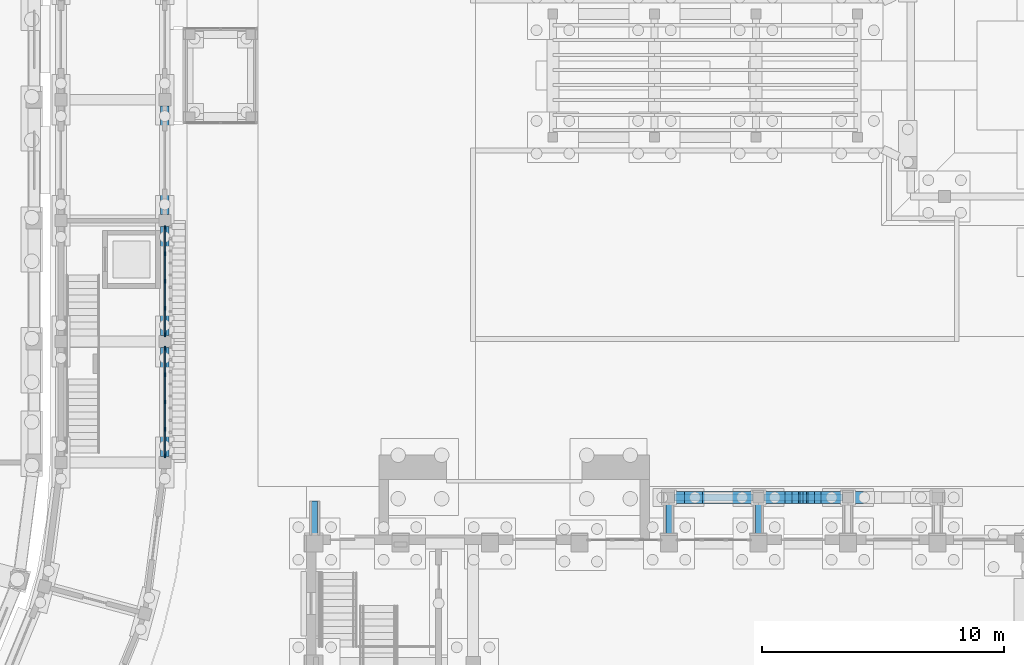
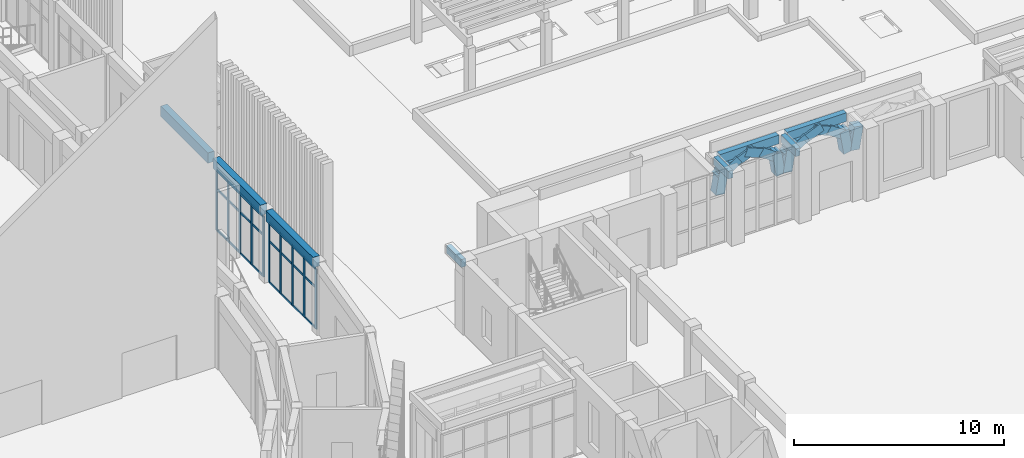
# One storey, part 25 of 112: 47 members, 8 beams, 2 elements without a shape of their own.
"""IFC4 building model written with IfcOpenShell, lengths in metres."""

from ifc_helpers import new_model, si_unit, direction, frame, origin, origin_2d, place, context, subcontext, project, spatial, rectangle, extrude, material, layer, layer_set, material_profile, profile_set, type_object, element, aggregate, save


model = new_model("IFC4")

# Units and contexts
model_context = context("Model", 3, precision=1e-05, world=origin(), true_north=direction((0.0, 1.0)))
body_context = subcontext(model_context, "Body", "Model", "MODEL_VIEW")
ifc_project = project(units=[si_unit("LENGTHUNIT", "METRE"), si_unit("AREAUNIT", "SQUARE_METRE"), si_unit("VOLUMEUNIT", "CUBIC_METRE"), si_unit("PLANEANGLEUNIT", "RADIAN"), si_unit("MASSUNIT", "GRAM", prefix="KILO")], contexts=[model_context])

# Site, building, storey
site_placement = place(None, origin())
site = spatial("IfcSite", under=ifc_project, at=site_placement, CompositionType="ELEMENT")
building_placement = place(site_placement, origin())
building = spatial("IfcBuilding", under=site, at=building_placement, Name="Wasatch Bagh Community Centre", CompositionType="ELEMENT")
storey_placement = place(building_placement, origin())
storey = spatial("IfcBuildingStorey", under=building, at=storey_placement, Name="L00", CompositionType="ELEMENT", Elevation=0.0)

# Beams
ifc_material_1 = material(Name="Concrete C35", Category="concrete")
ifc_material_profile_1 = material_profile(ifc_material_1, rectangle(XDim=0.300048828125, YDim=0.5, at=origin_2d()), Name="RC 300x500")
ifc_profile_set_1 = profile_set([ifc_material_profile_1], Name="Concrete C35")
beam_type_1 = type_object("IfcBeamType", Name="CL-B1", PredefinedType="BEAM", material=ifc_profile_set_1)
for number, where, z_axis, x_axis, name in (
    (1, (81.22509765625, 33.550048828125, 3.60009765625), (1.0, 0.0, 0.0), (0.0, 1.0, 0.0), "CL-B1 arcade edge beam DH 1"),
    (2, (84.925048828125, 33.550048828125, 3.60009765625), (1.0, 0.0, 0.0), (0.0, 1.0, 0.0), "CL-B1 arcade edge beam DH 2"),
):
    element("IfcBeam", number, at=place(storey_placement, frame(where, z_axis=z_axis, x_axis=x_axis)), inside=storey, type_object=beam_type_1, Name=name, PredefinedType="BEAM", context=body_context, shape_type="SweptSolid", body=[
        extrude(rectangle(XDim=0.300048828125, YDim=0.5, at=origin_2d()), origin(), (0.0, 0.0, 1.0), 3.25),
    ])
ifc_material_profile_2 = material_profile(ifc_material_1, rectangle(XDim=0.25, YDim=0.449951171875, at=origin_2d()), Name="RC 250x450")
ifc_profile_set_2 = profile_set([ifc_material_profile_2], Name="Concrete C35")
beam_type_2 = type_object("IfcBeamType", Name="CL-B2", PredefinedType="BEAM", material=ifc_profile_set_2)
for number, where, z_axis, x_axis, name in (
    (3, (66.35009765625, 32.0, 3.625), (0.0, 1.0, 0.0), (-1.0, 0.0, 0.0), "CL-B2 arcade cross beam DH 1"),
    (4, (81.0, 32.0, 3.625), (0.0, 1.0, 0.0), (-1.0, 0.0, 0.0), "CL-B2 arcade cross beam DH 5"),
    (5, (84.699951171875, 32.0, 3.625), (0.0, 1.0, 0.0), (-1.0, 0.0, 0.0), "CL-B2 arcade cross beam DH 6"),
):
    element("IfcBeam", number, at=place(storey_placement, frame(where, z_axis=z_axis, x_axis=x_axis)), inside=storey, type_object=beam_type_2, Name=name, PredefinedType="BEAM", context=body_context, shape_type="SweptSolid", body=[
        extrude(rectangle(XDim=0.25, YDim=0.449951171875, at=origin_2d()), origin(), (0.0, 0.0, 1.0), 1.39990234375),
    ])

# Members
ifc_material_2 = material(Name="Concrete C40", Category="concrete")
ifc_material_profile_3 = material_profile(ifc_material_2, rectangle(XDim=0.5, YDim=0.5, at=origin_2d()), Name="RC 500x500")
ifc_profile_set_3 = profile_set([ifc_material_profile_3], Name="Concrete C40")
member_type_1 = type_object("IfcMemberType", Name="CL-R1", PredefinedType="MEMBER", material=ifc_profile_set_3)
member_1_placement = place(storey_placement, frame((81.18505859375, 33.550048828125, 1.603271484375), z_axis=(0.159929956132, 0.0, 0.987128365073), x_axis=(0.0, 1.0, 0.0)))
element("IfcMember", 6, at=member_1_placement, inside=storey, type_object=member_type_1, Name="CL-R1 arch rib DH 1.1", PredefinedType="MEMBER", context=body_context, shape_type="SweptSolid", body=[
    extrude(rectangle(XDim=0.5, YDim=0.5, at=origin_2d()), origin(), (0.0, 0.0, 1.0), 1.320556640625),
])
member_2_placement = place(storey_placement, frame((81.149658203125, 33.550048828125, 2.51904296875), z_axis=(0.825790517456, 0.0, 0.563976968749), x_axis=(0.0, 1.0, 0.0)))
element("IfcMember", 7, at=member_2_placement, inside=storey, type_object=member_type_1, Name="CL-R1 arch rib DH 1.2", PredefinedType="MEMBER", context=body_context, shape_type="SweptSolid", body=[
    extrude(rectangle(XDim=0.5, YDim=0.5, at=origin_2d()), origin(), (0.0, 0.0, 1.0), 1.3251953125),
])
for number, where, z_axis, x_axis, name in (
    (8, (81.807373046875, 33.550048828125, 3.02783203125), (0.92061833483, 0.0, 0.390463675103), (0.0, 1.0, 0.0), "CL-R1 arch rib DH 1.3"),
    (9, (82.619873046875, 33.550048828125, 3.567626953125), (0.92061833483, 0.0, -0.390463675103), (0.0, 1.0, 0.0), "CL-R1 arch rib DH 1.4"),
):
    element("IfcMember", number, at=place(storey_placement, frame(where, z_axis=z_axis, x_axis=x_axis)), inside=storey, type_object=member_type_1, Name=name, PredefinedType="MEMBER", context=body_context, shape_type="SweptSolid", body=[
        extrude(rectangle(XDim=0.5, YDim=0.5, at=origin_2d()), origin(), (0.0, 0.0, 1.0), 1.38232421875),
    ])
member_3_placement = place(storey_placement, frame((83.4560546875, 33.550048828125, 3.266357421875), z_axis=(0.825790517456, 0.0, -0.563976968749), x_axis=(0.0, 1.0, 0.0)))
element("IfcMember", 10, at=member_3_placement, inside=storey, type_object=member_type_1, Name="CL-R1 arch rib DH 1.5", PredefinedType="MEMBER", context=body_context, shape_type="SweptSolid", body=[
    extrude(rectangle(XDim=0.5, YDim=0.5, at=origin_2d()), origin(), (0.0, 0.0, 1.0), 1.3251953125),
])
member_4_placement = place(storey_placement, frame((84.303955078125, 33.550048828125, 2.90673828125), z_axis=(0.159749787065, 0.0, -0.987157538356), x_axis=(0.0, 1.0, 0.0)))
element("IfcMember", 11, at=member_4_placement, inside=storey, type_object=member_type_1, Name="CL-R1 arch rib DH 1.6", PredefinedType="MEMBER", context=body_context, shape_type="SweptSolid", body=[
    extrude(rectangle(XDim=0.5, YDim=0.5, at=origin_2d()), origin(), (0.0, 0.0, 1.0), 1.3203125),
])
member_5_placement = place(storey_placement, frame((84.885009765625, 33.550048828125, 1.603271484375), z_axis=(0.159929956132, 0.0, 0.987128365073), x_axis=(0.0, 1.0, 0.0)))
element("IfcMember", 12, at=member_5_placement, inside=storey, type_object=member_type_1, Name="CL-R1 arch rib DH 2.1", PredefinedType="MEMBER", context=body_context, shape_type="SweptSolid", body=[
    extrude(rectangle(XDim=0.5, YDim=0.5, at=origin_2d()), origin(), (0.0, 0.0, 1.0), 1.320556640625),
])
member_6_placement = place(storey_placement, frame((84.849609375, 33.550048828125, 2.51904296875), z_axis=(0.825790517456, 0.0, 0.563976968749), x_axis=(0.0, 1.0, 0.0)))
element("IfcMember", 13, at=member_6_placement, inside=storey, type_object=member_type_1, Name="CL-R1 arch rib DH 2.2", PredefinedType="MEMBER", context=body_context, shape_type="SweptSolid", body=[
    extrude(rectangle(XDim=0.5, YDim=0.5, at=origin_2d()), origin(), (0.0, 0.0, 1.0), 1.3251953125),
])
for number, where, z_axis, x_axis, name in (
    (14, (85.50732421875, 33.550048828125, 3.02783203125), (0.920645253108, 0.0, 0.390400202267), (0.0, 1.0, 0.0), "CL-R1 arch rib DH 2.3"),
    (15, (86.31982421875, 33.550048828125, 3.567626953125), (0.920645253108, 0.0, -0.390400202267), (0.0, 1.0, 0.0), "CL-R1 arch rib DH 2.4"),
):
    element("IfcMember", number, at=place(storey_placement, frame(where, z_axis=z_axis, x_axis=x_axis)), inside=storey, type_object=member_type_1, Name=name, PredefinedType="MEMBER", context=body_context, shape_type="SweptSolid", body=[
        extrude(rectangle(XDim=0.5, YDim=0.5, at=origin_2d()), origin(), (0.0, 0.0, 1.0), 1.382568359375),
    ])
member_7_placement = place(storey_placement, frame((87.156005859375, 33.550048828125, 3.266357421875), z_axis=(0.825790517456, 0.0, -0.563976968749), x_axis=(0.0, 1.0, 0.0)))
element("IfcMember", 16, at=member_7_placement, inside=storey, type_object=member_type_1, Name="CL-R1 arch rib DH 2.5", PredefinedType="MEMBER", context=body_context, shape_type="SweptSolid", body=[
    extrude(rectangle(XDim=0.5, YDim=0.5, at=origin_2d()), origin(), (0.0, 0.0, 1.0), 1.3251953125),
])
member_8_placement = place(storey_placement, frame((88.00390625, 33.550048828125, 2.90673828125), z_axis=(0.159749787065, 0.0, -0.987157538356), x_axis=(0.0, 1.0, 0.0)))
element("IfcMember", 17, at=member_8_placement, inside=storey, type_object=member_type_1, Name="CL-R1 arch rib DH 2.6", PredefinedType="MEMBER", context=body_context, shape_type="SweptSolid", body=[
    extrude(rectangle(XDim=0.5, YDim=0.5, at=origin_2d()), origin(), (0.0, 0.0, 1.0), 1.3203125),
])
member_9_placement = place(storey_placement, frame((88.5849609375, 33.550048828125, 1.603271484375), z_axis=(0.159929956132, 0.0, 0.987128365073), x_axis=(0.0, 1.0, 0.0)))
element("IfcMember", 18, at=member_9_placement, inside=storey, type_object=member_type_1, Name="CL-R1 arch rib DH 3.1", PredefinedType="MEMBER", context=body_context, shape_type="SweptSolid", body=[
    extrude(rectangle(XDim=0.5, YDim=0.5, at=origin_2d()), origin(), (0.0, 0.0, 1.0), 1.320556640625),
])

# Curtain wall, members
ifc_material_3 = material(Name="Aluminium curtain wall frame with low-iron insulated glass", Category="aluminium")
ifc_layer = layer(ifc_material_3, 0.14990234375)
ifc_layer_set = layer_set([ifc_layer], Name="Aluminium curtain wall frame with low-iron insulated glass")
curtain_wall_type = type_object("IfcCurtainWallType", Name="Drum curtain wall DR-CW3", PredefinedType="NOTDEFINED", material=ifc_layer_set)
curtain_wall_1_placement = place(storey_placement, origin())
curtain_wall_1 = element("IfcCurtainWall", 19, at=curtain_wall_1_placement, inside=storey, type_object=curtain_wall_type, Name="Curtain wall DR-CW3 13", PredefinedType="NOTDEFINED")
ifc_material_4 = material(Name="Aluminium curtain wall frame", Category="aluminium")
ifc_material_profile_4 = material_profile(ifc_material_4, rectangle(XDim=0.06005859375, YDim=0.159912109375, at=origin_2d()), Name="Drum mullion DR-CW3")
ifc_profile_set_4 = profile_set([ifc_material_profile_4], Name="Aluminium curtain wall frame")
member_type_2 = type_object("IfcMemberType", Name="Drum mullion DR-CW3", PredefinedType="MULLION", material=ifc_profile_set_4)
member_10_placement = place(storey_placement, frame((60.14990234375, 35.280517578125, 0.0), z_axis=(0.0, 0.0, 1.0), x_axis=(-1.0, 0.0, 0.0)))
member_10 = element("IfcMember", 20, at=member_10_placement, type_object=member_type_2, Name="DR-CW3 mullion 1", PredefinedType="MULLION", context=body_context, shape_type="SweptSolid", body=[
    extrude(rectangle(XDim=0.06005859375, YDim=0.159912109375, at=origin_2d()), origin(), (0.0, 0.0, 1.0), 3.5),
])
member_11_placement = place(storey_placement, frame((60.14990234375, 36.375244140625, 0.0), z_axis=(0.0, 0.0, 1.0), x_axis=(-1.0, 0.0, 0.0)))
member_11 = element("IfcMember", 21, at=member_11_placement, type_object=member_type_2, Name="DR-CW3 mullion 2", PredefinedType="MULLION", context=body_context, shape_type="SweptSolid", body=[
    extrude(rectangle(XDim=0.06005859375, YDim=0.159912109375, at=origin_2d()), origin(), (0.0, 0.0, 1.0), 3.5),
])
member_12_placement = place(storey_placement, frame((60.14990234375, 37.5, 0.0), z_axis=(0.0, 0.0, 1.0), x_axis=(-1.0, 0.0, 0.0)))
member_12 = element("IfcMember", 22, at=member_12_placement, type_object=member_type_2, Name="DR-CW3 mullion 3", PredefinedType="MULLION", context=body_context, shape_type="SweptSolid", body=[
    extrude(rectangle(XDim=0.06005859375, YDim=0.159912109375, at=origin_2d()), origin(), (0.0, 0.0, 1.0), 3.5),
])
member_13_placement = place(storey_placement, frame((60.14990234375, 38.624755859375, 0.0), z_axis=(0.0, 0.0, 1.0), x_axis=(-1.0, 0.0, 0.0)))
member_13 = element("IfcMember", 23, at=member_13_placement, type_object=member_type_2, Name="DR-CW3 mullion 4", PredefinedType="MULLION", context=body_context, shape_type="SweptSolid", body=[
    extrude(rectangle(XDim=0.06005859375, YDim=0.159912109375, at=origin_2d()), origin(), (0.0, 0.0, 1.0), 3.5),
])
member_14_placement = place(storey_placement, frame((60.14990234375, 39.719482421875, 0.0), z_axis=(0.0, 0.0, 1.0), x_axis=(-1.0, 0.0, 0.0)))
member_14 = element("IfcMember", 24, at=member_14_placement, type_object=member_type_2, Name="DR-CW3 mullion 5", PredefinedType="MULLION", context=body_context, shape_type="SweptSolid", body=[
    extrude(rectangle(XDim=0.06005859375, YDim=0.159912109375, at=origin_2d()), origin(), (0.0, 0.0, 1.0), 3.5),
])

curtain_wall_2_placement = place(storey_placement, origin())
curtain_wall_2 = element("IfcCurtainWall", 25, at=curtain_wall_2_placement, inside=storey, type_object=curtain_wall_type, Name="Curtain wall DR-CW3 14", PredefinedType="NOTDEFINED")
member_15_placement = place(storey_placement, frame((60.14990234375, 40.280517578125, 0.0), z_axis=(0.0, 0.0, 1.0), x_axis=(-1.0, 0.0, 0.0)))
member_15 = element("IfcMember", 26, at=member_15_placement, type_object=member_type_2, Name="DR-CW3 mullion 1", PredefinedType="MULLION", context=body_context, shape_type="SweptSolid", body=[
    extrude(rectangle(XDim=0.06005859375, YDim=0.159912109375, at=origin_2d()), origin(), (0.0, 0.0, 1.0), 3.5),
])
member_16_placement = place(storey_placement, frame((60.14990234375, 41.375244140625, 0.0), z_axis=(0.0, 0.0, 1.0), x_axis=(-1.0, 0.0, 0.0)))
member_16 = element("IfcMember", 27, at=member_16_placement, type_object=member_type_2, Name="DR-CW3 mullion 2", PredefinedType="MULLION", context=body_context, shape_type="SweptSolid", body=[
    extrude(rectangle(XDim=0.06005859375, YDim=0.159912109375, at=origin_2d()), origin(), (0.0, 0.0, 1.0), 3.5),
])
member_17_placement = place(storey_placement, frame((60.14990234375, 42.5, 0.0), z_axis=(0.0, 0.0, 1.0), x_axis=(-1.0, 0.0, 0.0)))
member_17 = element("IfcMember", 28, at=member_17_placement, type_object=member_type_2, Name="DR-CW3 mullion 3", PredefinedType="MULLION", context=body_context, shape_type="SweptSolid", body=[
    extrude(rectangle(XDim=0.06005859375, YDim=0.159912109375, at=origin_2d()), origin(), (0.0, 0.0, 1.0), 3.5),
])
member_18_placement = place(storey_placement, frame((60.14990234375, 43.624755859375, 0.0), z_axis=(0.0, 0.0, 1.0), x_axis=(-1.0, 0.0, 0.0)))
member_18 = element("IfcMember", 29, at=member_18_placement, type_object=member_type_2, Name="DR-CW3 mullion 4", PredefinedType="MULLION", context=body_context, shape_type="SweptSolid", body=[
    extrude(rectangle(XDim=0.06005859375, YDim=0.159912109375, at=origin_2d()), origin(), (0.0, 0.0, 1.0), 3.5),
])
member_19_placement = place(storey_placement, frame((60.14990234375, 44.719482421875, 0.0), z_axis=(0.0, 0.0, 1.0), x_axis=(-1.0, 0.0, 0.0)))
member_19 = element("IfcMember", 30, at=member_19_placement, type_object=member_type_2, Name="DR-CW3 mullion 5", PredefinedType="MULLION", context=body_context, shape_type="SweptSolid", body=[
    extrude(rectangle(XDim=0.06005859375, YDim=0.159912109375, at=origin_2d()), origin(), (0.0, 0.0, 1.0), 3.5),
])

# Beams
ifc_material_profile_5 = material_profile(ifc_material_1, rectangle(XDim=0.35009765625, YDim=0.60009765625, at=origin_2d()), Name="RC 350x600")
ifc_profile_set_5 = profile_set([ifc_material_profile_5], Name="Concrete C35")
beam_type_3 = type_object("IfcBeamType", Name="Drum ring beam RC 350x600", PredefinedType="BEAM", material=ifc_profile_set_5)
for number, where, z_axis, x_axis, name in (
    (31, (60.14990234375, 35.25048828125, 3.89990234375), (0.0, 1.0, 0.0), (-1.0, 0.0, 0.0), "Ring beam 4.2 DO-E1-DO-E2"),
    (32, (60.14990234375, 40.25048828125, 3.89990234375), (0.0, 1.0, 0.0), (-1.0, 0.0, 0.0), "Ring beam 4.2 DO-E2-DO-E3"),
    (33, (60.14990234375, 45.25048828125, 3.89990234375), (0.0, 1.0, 0.0), (-1.0, 0.0, 0.0), "Ring beam 4.2 DO-E3-DO-E4"),
):
    element("IfcBeam", number, at=place(storey_placement, frame(where, z_axis=z_axis, x_axis=x_axis)), inside=storey, type_object=beam_type_3, Name=name, PredefinedType="BEAM", context=body_context, shape_type="SweptSolid", body=[
        extrude(rectangle(XDim=0.35009765625, YDim=0.60009765625, at=origin_2d()), origin(), (0.0, 0.0, 1.0), 4.4990234375),
    ])

# Member
ifc_material_profile_6 = material_profile(ifc_material_4, rectangle(XDim=0.06005859375, YDim=0.1201171875, at=origin_2d()), Name="Drum transom DR-CW3")
ifc_profile_set_6 = profile_set([ifc_material_profile_6], Name="Aluminium curtain wall frame")
member_type_3 = type_object("IfcMemberType", Name="Drum transom DR-CW3", PredefinedType="USERDEFINED", material=ifc_profile_set_6)
member_20_placement = place(storey_placement, frame((60.14990234375, 35.310546875, 0.030029296875), z_axis=(0.0, 1.0, 0.0), x_axis=(-1.0, 0.0, 0.0)))
member_20 = element("IfcMember", 34, at=member_20_placement, type_object=member_type_3, Name="DR-CW3 transom 1.1", ObjectType="TRANSOM", PredefinedType="USERDEFINED", context=body_context, shape_type="SweptSolid", body=[
    extrude(rectangle(XDim=0.06005859375, YDim=0.1201171875, at=origin_2d()), origin(), (0.0, 0.0, 1.0), 1.03466796875),
])

member_21_placement = place(storey_placement, frame((60.14990234375, 35.310546875, 2.39990234375), z_axis=(0.0, 1.0, 0.0), x_axis=(-1.0, 0.0, 0.0)))
member_21 = element("IfcMember", 35, at=member_21_placement, type_object=member_type_3, Name="DR-CW3 transom 1.2", ObjectType="TRANSOM", PredefinedType="USERDEFINED", context=body_context, shape_type="SweptSolid", body=[
    extrude(rectangle(XDim=0.06005859375, YDim=0.1201171875, at=origin_2d()), origin(), (0.0, 0.0, 1.0), 1.03466796875),
])

member_22_placement = place(storey_placement, frame((60.14990234375, 35.310546875, 3.469970703125), z_axis=(0.0, 1.0, 0.0), x_axis=(-1.0, 0.0, 0.0)))
member_22 = element("IfcMember", 36, at=member_22_placement, type_object=member_type_3, Name="DR-CW3 transom 1.3", ObjectType="TRANSOM", PredefinedType="USERDEFINED", context=body_context, shape_type="SweptSolid", body=[
    extrude(rectangle(XDim=0.06005859375, YDim=0.1201171875, at=origin_2d()), origin(), (0.0, 0.0, 1.0), 1.03466796875),
])

member_23_placement = place(storey_placement, frame((60.14990234375, 36.4052734375, 0.030029296875), z_axis=(0.0, 1.0, 0.0), x_axis=(-1.0, 0.0, 0.0)))
member_23 = element("IfcMember", 37, at=member_23_placement, type_object=member_type_3, Name="DR-CW3 transom 2.1", ObjectType="TRANSOM", PredefinedType="USERDEFINED", context=body_context, shape_type="SweptSolid", body=[
    extrude(rectangle(XDim=0.06005859375, YDim=0.1201171875, at=origin_2d()), origin(), (0.0, 0.0, 1.0), 1.064697265625),
])

member_24_placement = place(storey_placement, frame((60.14990234375, 36.4052734375, 2.39990234375), z_axis=(0.0, 1.0, 0.0), x_axis=(-1.0, 0.0, 0.0)))
member_24 = element("IfcMember", 38, at=member_24_placement, type_object=member_type_3, Name="DR-CW3 transom 2.2", ObjectType="TRANSOM", PredefinedType="USERDEFINED", context=body_context, shape_type="SweptSolid", body=[
    extrude(rectangle(XDim=0.06005859375, YDim=0.1201171875, at=origin_2d()), origin(), (0.0, 0.0, 1.0), 1.064697265625),
])

member_25_placement = place(storey_placement, frame((60.14990234375, 36.4052734375, 3.469970703125), z_axis=(0.0, 1.0, 0.0), x_axis=(-1.0, 0.0, 0.0)))
member_25 = element("IfcMember", 39, at=member_25_placement, type_object=member_type_3, Name="DR-CW3 transom 2.3", ObjectType="TRANSOM", PredefinedType="USERDEFINED", context=body_context, shape_type="SweptSolid", body=[
    extrude(rectangle(XDim=0.06005859375, YDim=0.1201171875, at=origin_2d()), origin(), (0.0, 0.0, 1.0), 1.064697265625),
])

member_26_placement = place(storey_placement, frame((60.14990234375, 37.530029296875, 0.030029296875), z_axis=(0.0, 1.0, 0.0), x_axis=(-1.0, 0.0, 0.0)))
member_26 = element("IfcMember", 40, at=member_26_placement, type_object=member_type_3, Name="DR-CW3 transom 3.1", ObjectType="TRANSOM", PredefinedType="USERDEFINED", context=body_context, shape_type="SweptSolid", body=[
    extrude(rectangle(XDim=0.06005859375, YDim=0.1201171875, at=origin_2d()), origin(), (0.0, 0.0, 1.0), 1.064697265625),
])

member_27_placement = place(storey_placement, frame((60.14990234375, 37.530029296875, 2.39990234375), z_axis=(0.0, 1.0, 0.0), x_axis=(-1.0, 0.0, 0.0)))
member_27 = element("IfcMember", 41, at=member_27_placement, type_object=member_type_3, Name="DR-CW3 transom 3.2", ObjectType="TRANSOM", PredefinedType="USERDEFINED", context=body_context, shape_type="SweptSolid", body=[
    extrude(rectangle(XDim=0.06005859375, YDim=0.1201171875, at=origin_2d()), origin(), (0.0, 0.0, 1.0), 1.064697265625),
])

member_28_placement = place(storey_placement, frame((60.14990234375, 37.530029296875, 3.469970703125), z_axis=(0.0, 1.0, 0.0), x_axis=(-1.0, 0.0, 0.0)))
member_28 = element("IfcMember", 42, at=member_28_placement, type_object=member_type_3, Name="DR-CW3 transom 3.3", ObjectType="TRANSOM", PredefinedType="USERDEFINED", context=body_context, shape_type="SweptSolid", body=[
    extrude(rectangle(XDim=0.06005859375, YDim=0.1201171875, at=origin_2d()), origin(), (0.0, 0.0, 1.0), 1.064697265625),
])

member_29_placement = place(storey_placement, frame((60.14990234375, 38.65478515625, 0.030029296875), z_axis=(0.0, 1.0, 0.0), x_axis=(-1.0, 0.0, 0.0)))
member_29 = element("IfcMember", 43, at=member_29_placement, type_object=member_type_3, Name="DR-CW3 transom 4.1", ObjectType="TRANSOM", PredefinedType="USERDEFINED", context=body_context, shape_type="SweptSolid", body=[
    extrude(rectangle(XDim=0.06005859375, YDim=0.1201171875, at=origin_2d()), origin(), (0.0, 0.0, 1.0), 1.03466796875),
])

member_30_placement = place(storey_placement, frame((60.14990234375, 38.65478515625, 2.39990234375), z_axis=(0.0, 1.0, 0.0), x_axis=(-1.0, 0.0, 0.0)))
member_30 = element("IfcMember", 44, at=member_30_placement, type_object=member_type_3, Name="DR-CW3 transom 4.2", ObjectType="TRANSOM", PredefinedType="USERDEFINED", context=body_context, shape_type="SweptSolid", body=[
    extrude(rectangle(XDim=0.06005859375, YDim=0.1201171875, at=origin_2d()), origin(), (0.0, 0.0, 1.0), 1.03466796875),
])

member_31_placement = place(storey_placement, frame((60.14990234375, 38.65478515625, 3.469970703125), z_axis=(0.0, 1.0, 0.0), x_axis=(-1.0, 0.0, 0.0)))
member_31 = element("IfcMember", 45, at=member_31_placement, type_object=member_type_3, Name="DR-CW3 transom 4.3", ObjectType="TRANSOM", PredefinedType="USERDEFINED", context=body_context, shape_type="SweptSolid", body=[
    extrude(rectangle(XDim=0.06005859375, YDim=0.1201171875, at=origin_2d()), origin(), (0.0, 0.0, 1.0), 1.03466796875),
])

aggregate(curtain_wall_1, [member_10, member_11, member_12, member_13, member_14, member_20, member_21, member_22, member_23, member_24, member_25, member_26, member_27, member_28, member_29, member_30, member_31])

member_32_placement = place(storey_placement, frame((60.14990234375, 40.310546875, 0.030029296875), z_axis=(0.0, 1.0, 0.0), x_axis=(-1.0, 0.0, 0.0)))
member_32 = element("IfcMember", 46, at=member_32_placement, type_object=member_type_3, Name="DR-CW3 transom 1.1", ObjectType="TRANSOM", PredefinedType="USERDEFINED", context=body_context, shape_type="SweptSolid", body=[
    extrude(rectangle(XDim=0.06005859375, YDim=0.1201171875, at=origin_2d()), origin(), (0.0, 0.0, 1.0), 1.03466796875),
])

member_33_placement = place(storey_placement, frame((60.14990234375, 40.310546875, 2.39990234375), z_axis=(0.0, 1.0, 0.0), x_axis=(-1.0, 0.0, 0.0)))
member_33 = element("IfcMember", 47, at=member_33_placement, type_object=member_type_3, Name="DR-CW3 transom 1.2", ObjectType="TRANSOM", PredefinedType="USERDEFINED", context=body_context, shape_type="SweptSolid", body=[
    extrude(rectangle(XDim=0.06005859375, YDim=0.1201171875, at=origin_2d()), origin(), (0.0, 0.0, 1.0), 1.03466796875),
])

member_34_placement = place(storey_placement, frame((60.14990234375, 40.310546875, 3.469970703125), z_axis=(0.0, 1.0, 0.0), x_axis=(-1.0, 0.0, 0.0)))
member_34 = element("IfcMember", 48, at=member_34_placement, type_object=member_type_3, Name="DR-CW3 transom 1.3", ObjectType="TRANSOM", PredefinedType="USERDEFINED", context=body_context, shape_type="SweptSolid", body=[
    extrude(rectangle(XDim=0.06005859375, YDim=0.1201171875, at=origin_2d()), origin(), (0.0, 0.0, 1.0), 1.03466796875),
])

member_35_placement = place(storey_placement, frame((60.14990234375, 41.4052734375, 0.030029296875), z_axis=(0.0, 1.0, 0.0), x_axis=(-1.0, 0.0, 0.0)))
member_35 = element("IfcMember", 49, at=member_35_placement, type_object=member_type_3, Name="DR-CW3 transom 2.1", ObjectType="TRANSOM", PredefinedType="USERDEFINED", context=body_context, shape_type="SweptSolid", body=[
    extrude(rectangle(XDim=0.06005859375, YDim=0.1201171875, at=origin_2d()), origin(), (0.0, 0.0, 1.0), 1.064697265625),
])

member_36_placement = place(storey_placement, frame((60.14990234375, 41.4052734375, 2.39990234375), z_axis=(0.0, 1.0, 0.0), x_axis=(-1.0, 0.0, 0.0)))
member_36 = element("IfcMember", 50, at=member_36_placement, type_object=member_type_3, Name="DR-CW3 transom 2.2", ObjectType="TRANSOM", PredefinedType="USERDEFINED", context=body_context, shape_type="SweptSolid", body=[
    extrude(rectangle(XDim=0.06005859375, YDim=0.1201171875, at=origin_2d()), origin(), (0.0, 0.0, 1.0), 1.064697265625),
])

member_37_placement = place(storey_placement, frame((60.14990234375, 41.4052734375, 3.469970703125), z_axis=(0.0, 1.0, 0.0), x_axis=(-1.0, 0.0, 0.0)))
member_37 = element("IfcMember", 51, at=member_37_placement, type_object=member_type_3, Name="DR-CW3 transom 2.3", ObjectType="TRANSOM", PredefinedType="USERDEFINED", context=body_context, shape_type="SweptSolid", body=[
    extrude(rectangle(XDim=0.06005859375, YDim=0.1201171875, at=origin_2d()), origin(), (0.0, 0.0, 1.0), 1.064697265625),
])

member_38_placement = place(storey_placement, frame((60.14990234375, 42.530029296875, 0.030029296875), z_axis=(0.0, 1.0, 0.0), x_axis=(-1.0, 0.0, 0.0)))
member_38 = element("IfcMember", 52, at=member_38_placement, type_object=member_type_3, Name="DR-CW3 transom 3.1", ObjectType="TRANSOM", PredefinedType="USERDEFINED", context=body_context, shape_type="SweptSolid", body=[
    extrude(rectangle(XDim=0.06005859375, YDim=0.1201171875, at=origin_2d()), origin(), (0.0, 0.0, 1.0), 1.064697265625),
])

member_39_placement = place(storey_placement, frame((60.14990234375, 42.530029296875, 2.39990234375), z_axis=(0.0, 1.0, 0.0), x_axis=(-1.0, 0.0, 0.0)))
member_39 = element("IfcMember", 53, at=member_39_placement, type_object=member_type_3, Name="DR-CW3 transom 3.2", ObjectType="TRANSOM", PredefinedType="USERDEFINED", context=body_context, shape_type="SweptSolid", body=[
    extrude(rectangle(XDim=0.06005859375, YDim=0.1201171875, at=origin_2d()), origin(), (0.0, 0.0, 1.0), 1.064697265625),
])

member_40_placement = place(storey_placement, frame((60.14990234375, 42.530029296875, 3.469970703125), z_axis=(0.0, 1.0, 0.0), x_axis=(-1.0, 0.0, 0.0)))
member_40 = element("IfcMember", 54, at=member_40_placement, type_object=member_type_3, Name="DR-CW3 transom 3.3", ObjectType="TRANSOM", PredefinedType="USERDEFINED", context=body_context, shape_type="SweptSolid", body=[
    extrude(rectangle(XDim=0.06005859375, YDim=0.1201171875, at=origin_2d()), origin(), (0.0, 0.0, 1.0), 1.064697265625),
])

member_41_placement = place(storey_placement, frame((60.14990234375, 43.65478515625, 0.030029296875), z_axis=(0.0, 1.0, 0.0), x_axis=(-1.0, 0.0, 0.0)))
member_41 = element("IfcMember", 55, at=member_41_placement, type_object=member_type_3, Name="DR-CW3 transom 4.1", ObjectType="TRANSOM", PredefinedType="USERDEFINED", context=body_context, shape_type="SweptSolid", body=[
    extrude(rectangle(XDim=0.06005859375, YDim=0.1201171875, at=origin_2d()), origin(), (0.0, 0.0, 1.0), 1.03466796875),
])

member_42_placement = place(storey_placement, frame((60.14990234375, 43.65478515625, 2.39990234375), z_axis=(0.0, 1.0, 0.0), x_axis=(-1.0, 0.0, 0.0)))
member_42 = element("IfcMember", 56, at=member_42_placement, type_object=member_type_3, Name="DR-CW3 transom 4.2", ObjectType="TRANSOM", PredefinedType="USERDEFINED", context=body_context, shape_type="SweptSolid", body=[
    extrude(rectangle(XDim=0.06005859375, YDim=0.1201171875, at=origin_2d()), origin(), (0.0, 0.0, 1.0), 1.03466796875),
])

member_43_placement = place(storey_placement, frame((60.14990234375, 43.65478515625, 3.469970703125), z_axis=(0.0, 1.0, 0.0), x_axis=(-1.0, 0.0, 0.0)))
member_43 = element("IfcMember", 57, at=member_43_placement, type_object=member_type_3, Name="DR-CW3 transom 4.3", ObjectType="TRANSOM", PredefinedType="USERDEFINED", context=body_context, shape_type="SweptSolid", body=[
    extrude(rectangle(XDim=0.06005859375, YDim=0.1201171875, at=origin_2d()), origin(), (0.0, 0.0, 1.0), 1.03466796875),
])

aggregate(curtain_wall_2, [member_15, member_16, member_17, member_18, member_19, member_32, member_33, member_34, member_35, member_36, member_37, member_38, member_39, member_40, member_41, member_42, member_43])

save(model, "model.ifc")
